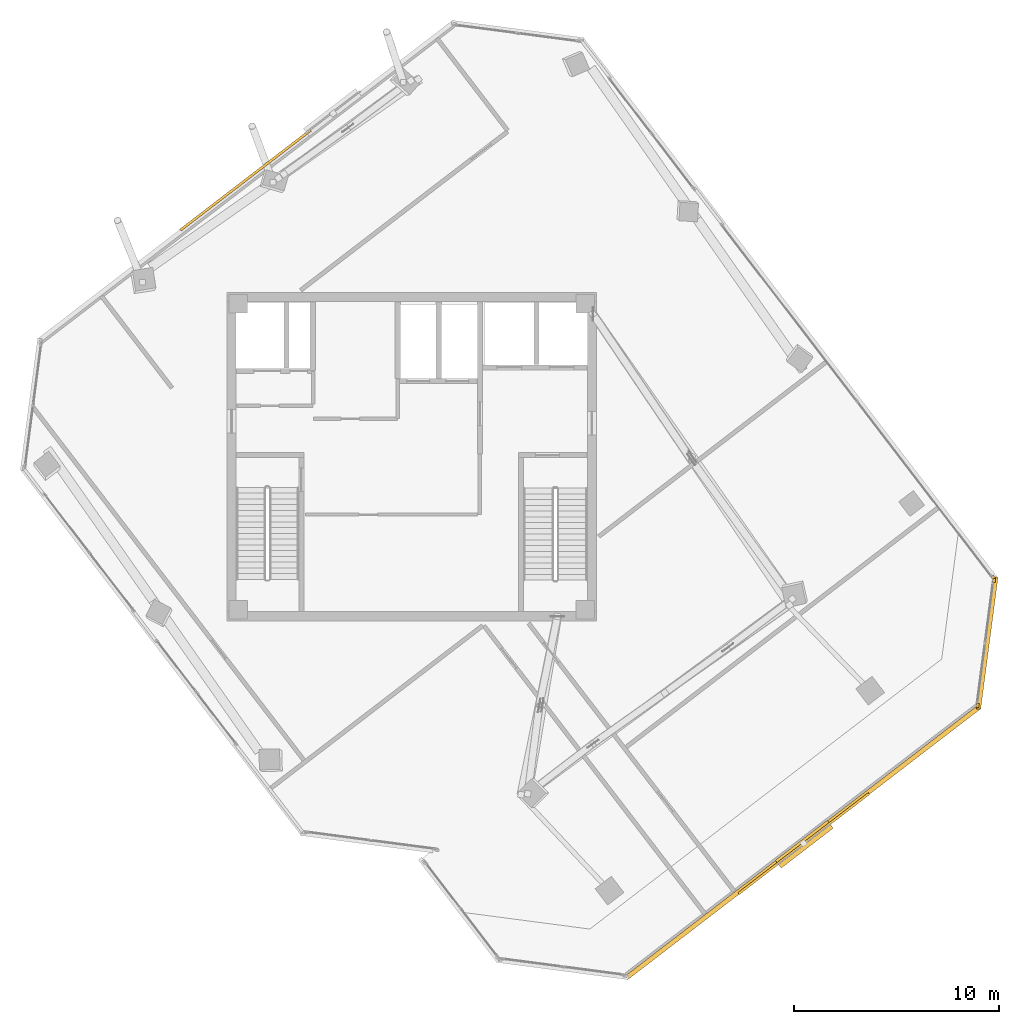
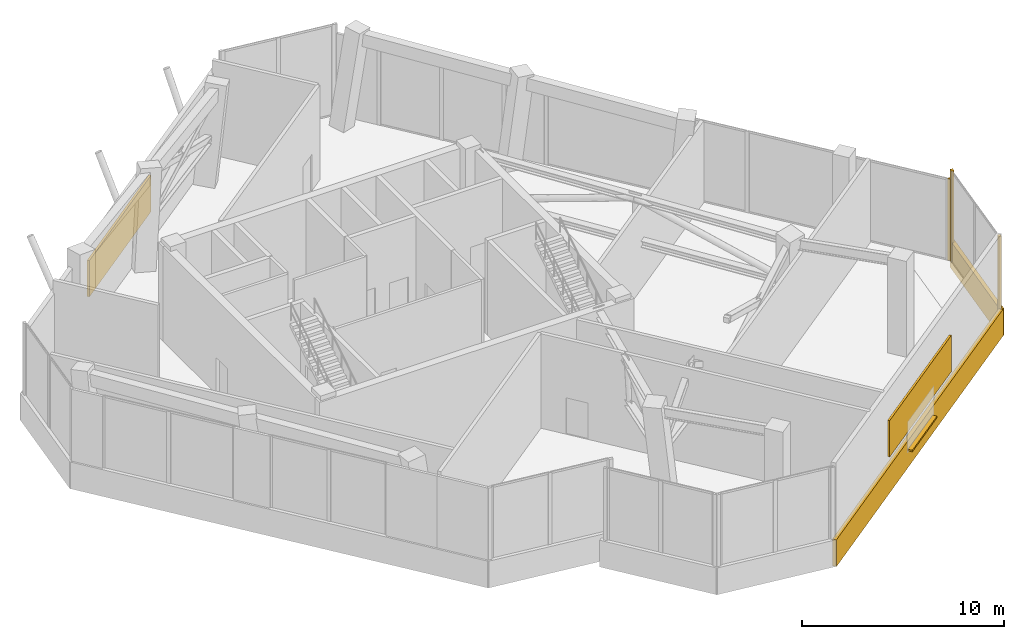
# One storey, part 18 of 19: 5 coverings, 3 shading devices.
"""IFC4 building model written with IfcOpenShell, lengths in metres."""

from ifc_helpers import new_model, si_unit, direction, frame, origin, origin_2d, place, context, subcontext, project, spatial, rectangle, extrude, source, transform, mapped, material, layer, layer_set, type_object, element, save


model = new_model("IFC4")

# Units and contexts
model_context = context("Model", 3, precision=1e-05, world=origin(), true_north=direction((0.0, 1.0)))
body_context = subcontext(model_context, "Body", "Model", "MODEL_VIEW")
ifc_project = project(units=[si_unit("LENGTHUNIT", "METRE"), si_unit("AREAUNIT", "SQUARE_METRE"), si_unit("VOLUMEUNIT", "CUBIC_METRE"), si_unit("PLANEANGLEUNIT", "RADIAN"), si_unit("MASSUNIT", "GRAM", prefix="KILO")], contexts=[model_context])

# Site, building, storey
site_placement = place(None, origin())
site = spatial("IfcSite", under=ifc_project, at=site_placement, CompositionType="ELEMENT")
building_placement = place(site_placement, origin())
building = spatial("IfcBuilding", under=site, at=building_placement, Name="Torre Montelarca", CompositionType="ELEMENT")
storey_placement = place(building_placement, frame((0.0, 0.0, 287.800048828125)))
storey = spatial("IfcBuildingStorey", under=building, at=storey_placement, Name="L65", CompositionType="ELEMENT", Elevation=287.800048828125)

# Covering
ifc_material_1 = material(Name="Bush-hammered warm white precast concrete C45/55", Category="concrete")
ifc_layer_1 = layer(ifc_material_1, 0.139892578125, Name="Bush-hammered warm white precast concrete C45/55", Category="concrete")
ifc_layer_set_1 = layer_set([ifc_layer_1], Name="Bush-hammered warm white precast concrete C45/55")
covering_type = type_object("IfcCoveringType", Name="COV-TRAY-CLAD", PredefinedType="CLADDING", material=ifc_layer_set_1)
shared_shape_1 = source(origin(), body_context, "Body", "SweptSolid", [
    extrude(rectangle(XDim=6.48388671875, YDim=0.219970703125, at=origin_2d()), origin(), (0.0, 0.0, 1.0), 1.6201171875),
])
covering_1_placement = place(storey_placement, frame((46.021484375, 22.92333984375, -0.4501953125), z_axis=(0.0, 0.0, 1.0), x_axis=(0.130531383411, 0.991444177927, 0.0)))
element("IfcCovering", 1, at=covering_1_placement, inside=storey, type_object=covering_type, Name="L65 Architectural White Spandrel Tray Band TRYBOT-07", PredefinedType="CLADDING", context=body_context, shape_type="MappedRepresentation", body=[
    mapped(shared_shape_1, transform((0.0, 0.0, 0.0), scale=1.0)),
])

# Shading devices
ifc_material_2 = material(Name="Anodised champagne bronze aluminium AA 6063-T6", Category="aluminium")
ifc_layer_2 = layer(ifc_material_2, 0.070068359375, Name="Anodised champagne bronze aluminium AA 6063-T6", Category="aluminium")
ifc_layer_set_2 = layer_set([ifc_layer_2], Name="Anodised champagne bronze aluminium AA 6063-T6")
shading_device_type_1 = type_object("IfcShadingDeviceType", Name="SHD-SUNSHADE-1", PredefinedType="USERDEFINED", material=ifc_layer_set_2)
shared_shape_2 = source(origin(), body_context, "Body", "SweptSolid", [
    extrude(rectangle(XDim=3.199951171875, YDim=0.47998046875, at=origin_2d()), origin(), (0.0, 0.0, 1.0), 0.10009765625),
])
shading_device_placement = place(storey_placement, frame((37.116455078125, 13.126708984375, 0.56982421875), z_axis=(0.0, 0.0, 1.0), x_axis=(0.793351215308, 0.608764198331, 0.0)))
element("IfcShadingDevice", 2, at=shading_device_placement, inside=storey, type_object=shading_device_type_1, Name="L65 Facade Solar Shading Device E6", ObjectType="SUNSHADE", PredefinedType="USERDEFINED", context=body_context, shape_type="MappedRepresentation", body=[
    mapped(shared_shape_2, transform((0.0, 0.0, 0.0), scale=1.0)),
])
ifc_material_3 = material(Name="Architectural perforated terracotta ceramic", Category="masonry")
ifc_layer_3 = layer(ifc_material_3, 0.080078125, Name="Architectural perforated terracotta ceramic", Category="masonry")
ifc_layer_set_3 = layer_set([ifc_layer_3], Name="Architectural perforated terracotta ceramic")
shading_device_type_2 = type_object("IfcShadingDeviceType", Name="SHD-JALOUSIE-1", PredefinedType="JALOUSIE", material=ifc_layer_set_3)
shared_shape_3 = source(origin(), body_context, "Body", "SweptSolid", [
    extrude(rectangle(XDim=8.0, YDim=0.1201171875, at=origin_2d()), origin(), (0.0, 0.0, 1.0), 2.199951171875),
])
for number, where, z_axis, x_axis, name in (
    (3, (37.09228515625, 13.158203125, 1.759765625), (0.0, 0.0, 1.0), (0.793350152813, 0.608765582989, 0.0), "L65 Belt-Truss Mechanical Louvre Screen E06"),
    (4, (9.9072265625, 45.46533203125, 1.37744140625), (0.0, 0.0, 1.0), (-0.793351215308, -0.608764198331, 0.0), "L65 Belt-Truss Mechanical Louvre Screen E10"),
):
    element("IfcShadingDevice", number, at=place(storey_placement, frame(where, z_axis=z_axis, x_axis=x_axis)), inside=storey, type_object=shading_device_type_2, Name=name, PredefinedType="JALOUSIE", context=body_context, shape_type="MappedRepresentation", body=[
        mapped(shared_shape_3, transform((0.0, 0.0, 0.0), scale=1.0)),
    ])

# Coverings
shared_shape_4 = source(origin(), body_context, "Body", "SweptSolid", [
    extrude(rectangle(XDim=21.719970703125, YDim=0.219970703125, at=origin_2d()), origin(), (0.0, 0.0, 1.0), 1.6201171875),
])
covering_2_placement = place(storey_placement, frame((37.049560546875, 13.2138671875, -0.4501953125), z_axis=(0.0, 0.0, 1.0), x_axis=(0.793351215308, 0.608764198331, 0.0)))
element("IfcCovering", 5, at=covering_2_placement, inside=storey, type_object=covering_type, Name="L65 Architectural White Spandrel Tray Band TRYBOT-06", PredefinedType="CLADDING", context=body_context, shape_type="MappedRepresentation", body=[
    mapped(shared_shape_4, transform((0.0, 0.0, 0.0), scale=1.0)),
])
shared_shape_5 = source(origin(), body_context, "Body", "SweptSolid", [
    extrude(rectangle(XDim=0.199951171875, YDim=0.139892578125, at=origin_2d()), origin(), (0.0, 0.0, 1.0), 5.52001953125),
])
for number, where, z_axis, x_axis, name in (
    (6, (45.56201171875, 19.891357421875, 0.0), (0.0, 0.0, 1.0), (0.130531383411, 0.991444177927, 0.0), "L65 Architectural Column Pier Cladding E07-1"),
    (7, (46.3623046875, 25.97119140625, 0.0), (0.0, 0.0, 1.0), (0.130531383411, 0.991444177927, 0.0), "L65 Architectural Column Pier Cladding E07-2"),
):
    element("IfcCovering", number, at=place(storey_placement, frame(where, z_axis=z_axis, x_axis=x_axis)), inside=storey, type_object=covering_type, Name=name, PredefinedType="CLADDING", context=body_context, shape_type="MappedRepresentation", body=[
        mapped(shared_shape_5, transform((0.0, 0.0, 0.0), scale=1.0)),
    ])
shared_shape_6 = source(origin(), body_context, "Body", "SweptSolid", [
    extrude(rectangle(XDim=0.199951171875, YDim=0.139892578125, at=origin_2d()), origin(), (0.0, 0.0, 1.0), 4.93505859375),
])
covering_3_placement = place(storey_placement, frame((46.32470703125, 26.111328125, 0.0), z_axis=(0.0, 0.0, 1.0), x_axis=(-0.608762813671, 0.793352277801, 0.0)))
element("IfcCovering", 8, at=covering_3_placement, inside=storey, type_object=covering_type, Name="L65 Architectural Column Pier Cladding E08-1", PredefinedType="CLADDING", context=body_context, shape_type="MappedRepresentation", body=[
    mapped(shared_shape_6, transform((0.0, 0.0, 0.0), scale=1.0)),
])

save(model, "model.ifc")
